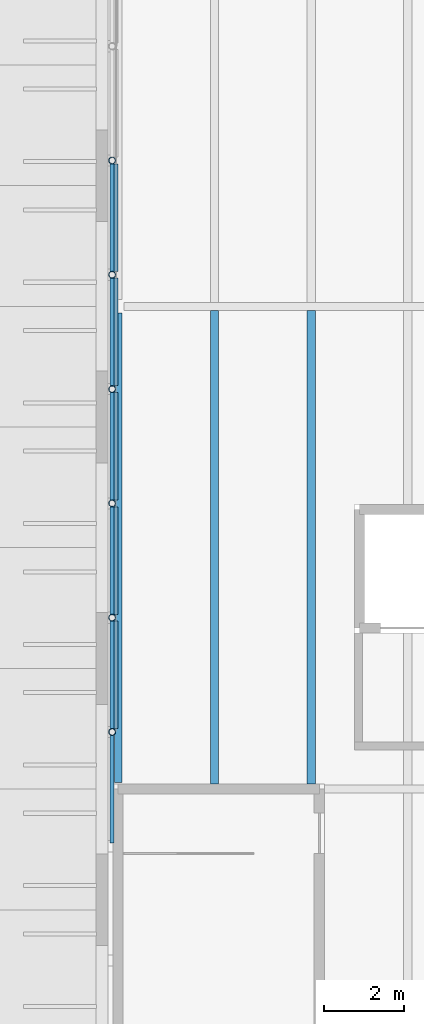
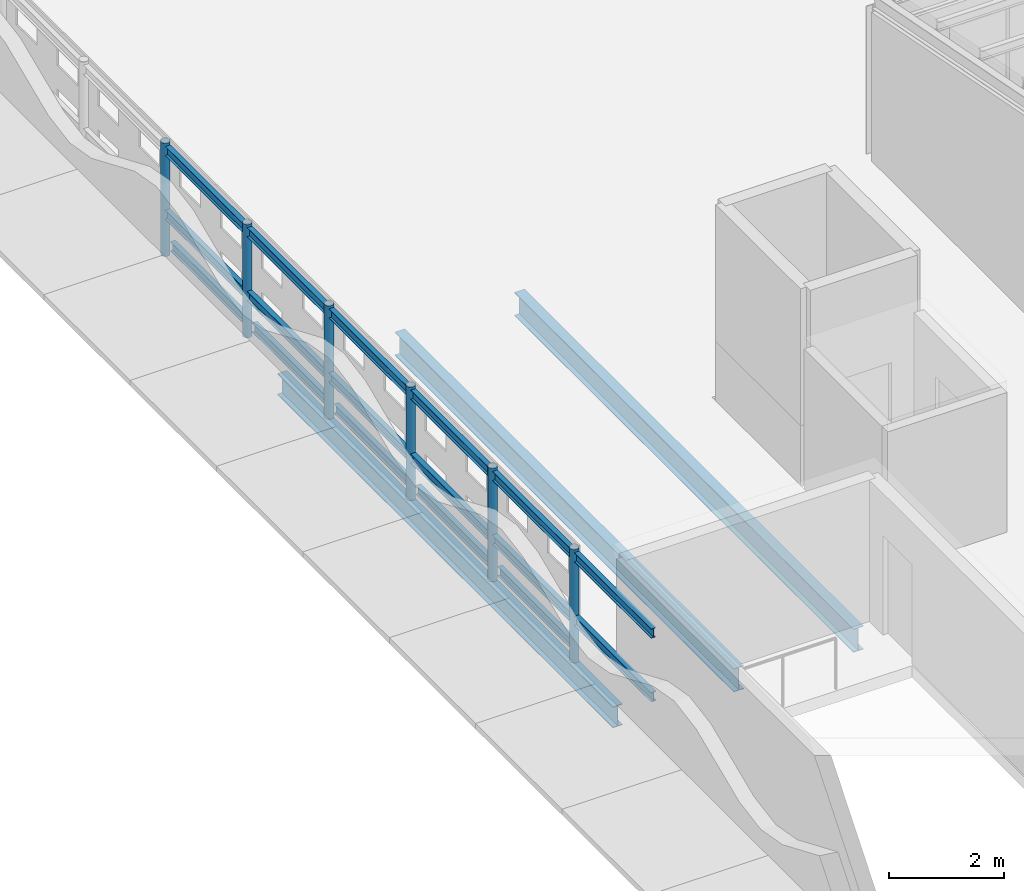
# One storey, part 18 of 91: 23 members, 3 beams.
"""IFC4 building model written with IfcOpenShell, lengths in metres."""

from ifc_helpers import new_model, si_unit, direction, frame, origin, origin_2d, place, context, subcontext, project, spatial, hollow_circle, i_section, extrude, material, material_profile, profile_set, type_object, element, save


model = new_model("IFC4")

# Units and contexts
model_context = context("Model", 3, precision=1e-05, world=origin(), true_north=direction((0.0, 1.0)))
body_context = subcontext(model_context, "Body", "Model", "MODEL_VIEW")
ifc_project = project(units=[si_unit("LENGTHUNIT", "METRE"), si_unit("AREAUNIT", "SQUARE_METRE"), si_unit("VOLUMEUNIT", "CUBIC_METRE"), si_unit("PLANEANGLEUNIT", "RADIAN"), si_unit("MASSUNIT", "GRAM", prefix="KILO")], contexts=[model_context])

# Site, building, storey
site_placement = place(None, origin())
site = spatial("IfcSite", under=ifc_project, at=site_placement, CompositionType="ELEMENT")
building_placement = place(site_placement, origin())
building = spatial("IfcBuilding", under=site, at=building_placement, Name="Ravi Spectrum Wholesale Market", CompositionType="ELEMENT")
storey_placement = place(building_placement, frame((0.0, 0.0, 16.199951171875)))
storey = spatial("IfcBuildingStorey", under=building, at=storey_placement, Name="ROOF PLANT LEVEL", CompositionType="ELEMENT", Elevation=16.199951171875)

# Members
ifc_material_1 = material(Name="Steel S355", Category="steel")
ifc_material_profile_1 = material_profile(ifc_material_1, hollow_circle(Radius=0.084228515625, WallThickness=0.00634765625, at=origin_2d()))
ifc_profile_set_1 = profile_set([ifc_material_profile_1], Name="Steel S355")
member_type_1 = type_object("IfcMemberType", Name="CHS 168.3x6.3 post", PredefinedType="POST", material=ifc_profile_set_1)
for number, where, z_axis, x_axis, name in (
    (1, (197.85009765625, 57.62646484375, 0.0), (0.0, 0.0, 1.0), (1.0, 0.0, 0.0), "CS-MB-ROOF-079"),
    (2, (197.85009765625, 54.785400390625, 0.0), (0.0, 0.0, 1.0), (1.0, 0.0, 0.0), "CS-MB-ROOF-080"),
    (3, (197.85009765625, 51.944091796875, 0.0), (0.0, 0.0, 1.0), (1.0, 0.0, 0.0), "CS-MB-ROOF-081"),
    (4, (197.85009765625, 49.10302734375, 0.0), (0.0, 0.0, 1.0), (1.0, 0.0, 0.0), "CS-MB-ROOF-082"),
    (5, (197.85009765625, 46.26171875, 0.0), (0.0, 0.0, 1.0), (1.0, 0.0, 0.0), "CS-MB-ROOF-083"),
    (6, (197.85009765625, 43.420654296875, 0.0), (0.0, 0.0, 1.0), (1.0, 0.0, 0.0), "CS-MB-ROOF-084"),
):
    element("IfcMember", number, at=place(storey_placement, frame(where, z_axis=z_axis, x_axis=x_axis)), inside=storey, type_object=member_type_1, Name=name, PredefinedType="POST", context=body_context, shape_type="SweptSolid", body=[
        extrude(hollow_circle(Radius=0.084228515625, WallThickness=0.00634765625, at=origin_2d()), origin(), (0.0, 0.0, 1.0), 2.400146484375),
    ])
ifc_material_2 = material(Name="Steel S355", Category="steel")
ifc_material_profile_2 = material_profile(ifc_material_2, i_section(OverallWidth=0.10009765625, OverallDepth=0.199951171875, WebThickness=0.005615234375, FlangeThickness=0.008544921875, at=origin_2d()))
ifc_profile_set_2 = profile_set([ifc_material_profile_2], Name="Steel S355")
member_type_2 = type_object("IfcMemberType", Name="IPE 200 purlin", PredefinedType="PURLIN", material=ifc_profile_set_2)
for number, where, z_axis, x_axis, name in (
    (7, (197.85009765625, 57.542236328125, 0.900146484375), (0.0, -1.0, 0.0), (1.0, 0.0, 0.0), "CS-MB-ROOF-318"),
    (8, (197.85009765625, 57.542236328125, 2.25), (0.0, -1.0, 0.0), (1.0, 0.0, 0.0), "CS-MB-ROOF-319"),
    (9, (197.94921875, 57.542236328125, 0.199951171875), (0.0, -1.0, 0.0), (1.0, 0.0, 0.0), "CS-MB-ROOF-320"),
    (10, (197.85009765625, 54.701171875, 0.900146484375), (0.0, -1.0, 0.0), (1.0, 0.0, 0.0), "CS-MB-ROOF-321"),
    (11, (197.85009765625, 54.701171875, 2.25), (0.0, -1.0, 0.0), (1.0, 0.0, 0.0), "CS-MB-ROOF-322"),
    (12, (197.94921875, 54.701171875, 0.199951171875), (0.0, -1.0, 0.0), (1.0, 0.0, 0.0), "CS-MB-ROOF-323"),
    (13, (197.85009765625, 51.85986328125, 0.900146484375), (0.0, -1.0, 0.0), (1.0, 0.0, 0.0), "CS-MB-ROOF-324"),
    (14, (197.85009765625, 51.85986328125, 2.25), (0.0, -1.0, 0.0), (1.0, 0.0, 0.0), "CS-MB-ROOF-325"),
    (15, (197.94921875, 51.85986328125, 0.199951171875), (0.0, -1.0, 0.0), (1.0, 0.0, 0.0), "CS-MB-ROOF-326"),
    (16, (197.85009765625, 49.018798828125, 0.900146484375), (0.0, -1.0, 0.0), (1.0, 0.0, 0.0), "CS-MB-ROOF-327"),
    (17, (197.85009765625, 49.018798828125, 2.25), (0.0, -1.0, 0.0), (1.0, 0.0, 0.0), "CS-MB-ROOF-328"),
    (18, (197.94921875, 49.018798828125, 0.199951171875), (0.0, -1.0, 0.0), (1.0, 0.0, 0.0), "CS-MB-ROOF-329"),
):
    element("IfcMember", number, at=place(storey_placement, frame(where, z_axis=z_axis, x_axis=x_axis)), inside=storey, type_object=member_type_2, Name=name, PredefinedType="PURLIN", context=body_context, shape_type="SweptSolid", body=[
        extrude(i_section(OverallWidth=0.10009765625, OverallDepth=0.199951171875, WebThickness=0.005615234375, FlangeThickness=0.008544921875, at=origin_2d()), origin(), (0.0, 0.0, 1.0), 2.6728515625),
    ])
for number, where, z_axis, x_axis, name in (
    (19, (197.85009765625, 46.177734375, 0.900146484375), (0.0, -1.0, 0.0), (1.0, 0.0, 0.0), "CS-MB-ROOF-330"),
    (20, (197.85009765625, 46.177734375, 2.25), (0.0, -1.0, 0.0), (1.0, 0.0, 0.0), "CS-MB-ROOF-331"),
    (21, (197.94921875, 46.177734375, 0.199951171875), (0.0, -1.0, 0.0), (1.0, 0.0, 0.0), "CS-MB-ROOF-332"),
):
    element("IfcMember", number, at=place(storey_placement, frame(where, z_axis=z_axis, x_axis=x_axis)), inside=storey, type_object=member_type_2, Name=name, PredefinedType="PURLIN", context=body_context, shape_type="SweptSolid", body=[
        extrude(i_section(OverallWidth=0.10009765625, OverallDepth=0.199951171875, WebThickness=0.005615234375, FlangeThickness=0.008544921875, at=origin_2d()), origin(), (0.0, 0.0, 1.0), 2.673095703125),
    ])
for number, where, z_axis, x_axis, name in (
    (22, (197.85009765625, 43.33642578125, 0.900146484375), (0.0, -1.0, 0.0), (1.0, 0.0, 0.0), "CS-MB-ROOF-333"),
    (23, (197.85009765625, 43.33642578125, 2.25), (0.0, -1.0, 0.0), (1.0, 0.0, 0.0), "CS-MB-ROOF-334"),
):
    element("IfcMember", number, at=place(storey_placement, frame(where, z_axis=z_axis, x_axis=x_axis)), inside=storey, type_object=member_type_2, Name=name, PredefinedType="PURLIN", context=body_context, shape_type="SweptSolid", body=[
        extrude(i_section(OverallWidth=0.10009765625, OverallDepth=0.199951171875, WebThickness=0.005615234375, FlangeThickness=0.008544921875, at=origin_2d()), origin(), (0.0, 0.0, 1.0), 2.6728515625),
    ])

# Beams
ifc_material_3 = material(Name="Steel S355", Category="steel")
ifc_material_profile_3 = material_profile(ifc_material_3, i_section(OverallWidth=0.18994140625, OverallDepth=0.449951171875, WebThickness=0.009521484375, FlangeThickness=0.0146484375, at=origin_2d()))
ifc_profile_set_3 = profile_set([ifc_material_profile_3], Name="Steel S355")
beam_type_1 = type_object("IfcBeamType", Name="IPE 450 girder", PredefinedType="BEAM", material=ifc_profile_set_3)
beam_placement = place(storey_placement, frame((198.0, 42.169921875, -0.474853515625), z_axis=(0.0, 1.0, 0.0), x_axis=(-1.0, 0.0, 0.0)))
element("IfcBeam", 24, at=beam_placement, inside=storey, type_object=beam_type_1, Name="CS-BM-ROOF-038", PredefinedType="BEAM", context=body_context, shape_type="SweptSolid", body=[
    extrude(i_section(OverallWidth=0.18994140625, OverallDepth=0.449951171875, WebThickness=0.009521484375, FlangeThickness=0.0146484375, at=origin_2d()), origin(), (0.0, 0.0, 1.0), 11.66015625),
])
ifc_material_4 = material(Name="Steel S355", Category="steel")
ifc_material_profile_4 = material_profile(ifc_material_4, i_section(OverallWidth=0.199951171875, OverallDepth=0.5, WebThickness=0.01025390625, FlangeThickness=0.01611328125, at=origin_2d()))
ifc_profile_set_4 = profile_set([ifc_material_profile_4], Name="Steel S355")
beam_type_2 = type_object("IfcBeamType", Name="IPE 500 beam", PredefinedType="BEAM", material=ifc_profile_set_4)
for number, where, z_axis, x_axis, name in (
    (25, (200.39990234375, 42.125, -0.5), (0.0, 1.0, 0.0), (-1.0, 0.0, 0.0), "CS-BM-ROOF-076"),
    (26, (202.800048828125, 42.125, -0.5), (0.0, 1.0, 0.0), (-1.0, 0.0, 0.0), "CS-BM-ROOF-077"),
):
    element("IfcBeam", number, at=place(storey_placement, frame(where, z_axis=z_axis, x_axis=x_axis)), inside=storey, type_object=beam_type_2, Name=name, PredefinedType="BEAM", context=body_context, shape_type="SweptSolid", body=[
        extrude(i_section(OverallWidth=0.199951171875, OverallDepth=0.5, WebThickness=0.01025390625, FlangeThickness=0.01611328125, at=origin_2d()), origin(), (0.0, 0.0, 1.0), 11.77490234375),
    ])

save(model, "model.ifc")
